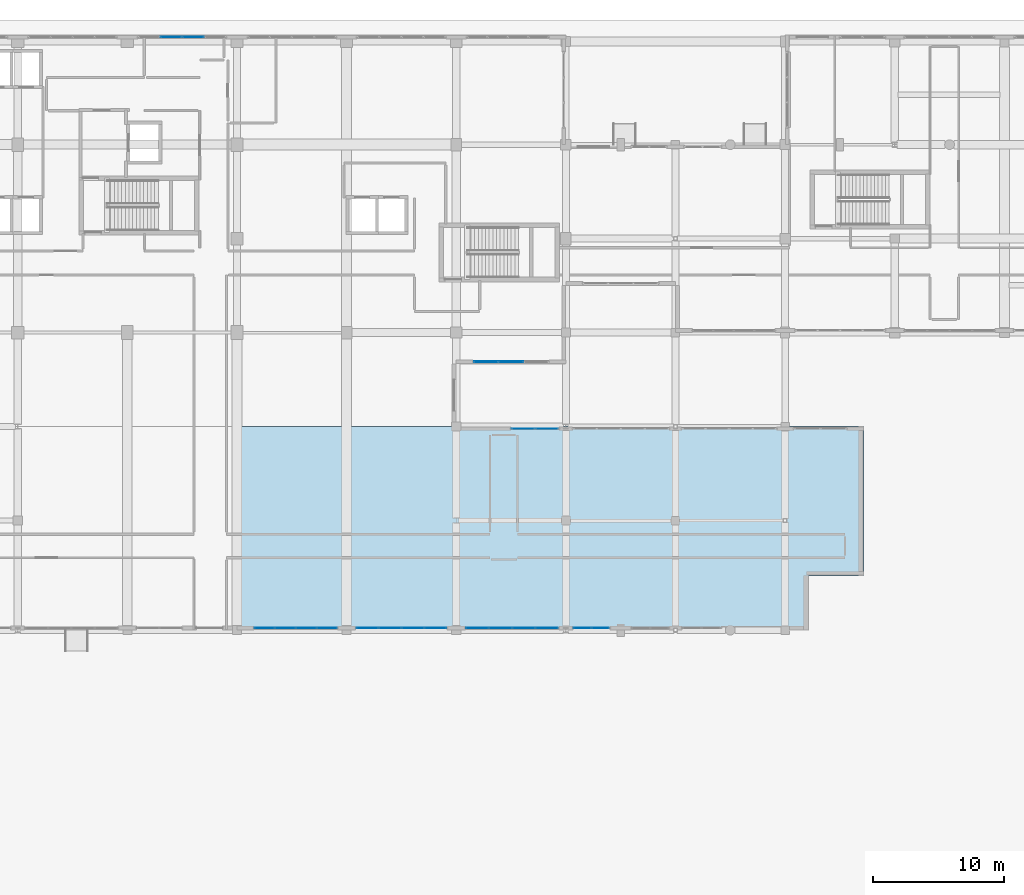
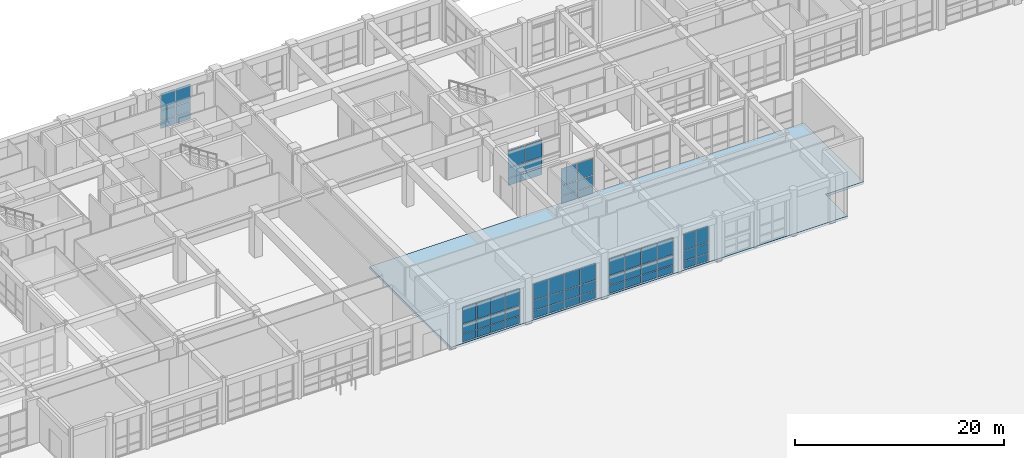
# One storey, part 116 of 148: 60 plates, 1 slab, 7 elements without a shape of their own.
"""IFC4 building model written with IfcOpenShell, lengths in metres."""

from ifc_helpers import new_model, si_unit, direction, frame, origin, origin_2d, place, context, subcontext, project, spatial, polyline, rectangle, outline, extrude, material, layer, layer_set, type_object, element, aggregate, save


model = new_model("IFC4")

# Units and contexts
model_context = context("Model", 3, precision=1e-05, world=origin(), true_north=direction((0.0, 1.0)))
body_context = subcontext(model_context, "Body", "Model", "MODEL_VIEW")
ifc_project = project(units=[si_unit("LENGTHUNIT", "METRE"), si_unit("AREAUNIT", "SQUARE_METRE"), si_unit("VOLUMEUNIT", "CUBIC_METRE"), si_unit("PLANEANGLEUNIT", "RADIAN"), si_unit("MASSUNIT", "GRAM", prefix="KILO")], contexts=[model_context])

# Site, building, storey
site_placement = place(None, origin())
site = spatial("IfcSite", under=ifc_project, at=site_placement, CompositionType="ELEMENT")
building_placement = place(site_placement, origin())
building = spatial("IfcBuilding", under=site, at=building_placement, Name="Quendrovan Civic Courthouse", CompositionType="ELEMENT")
storey_placement = place(building_placement, origin())
storey = spatial("IfcBuildingStorey", under=building, at=storey_placement, Name="L01", CompositionType="ELEMENT", Elevation=0.0)

# Curtain wall, plates
ifc_material_1 = material(Name="Bronze anodised aluminium and low-E glass", Category="aluminium")
ifc_layer_1 = layer(ifc_material_1, 0.179931640625, Name="Bronze anodised aluminium and low-E glass")
ifc_layer_set_1 = layer_set([ifc_layer_1], Name="Bronze anodised aluminium and low-E glass")
curtain_wall_type_1 = type_object("IfcCurtainWallType", Name="CW-U68x42", PredefinedType="USERDEFINED", material=ifc_layer_set_1)
curtain_wall_1_placement = place(storey_placement, origin())
curtain_wall_1 = element("IfcCurtainWall", 1, at=curtain_wall_1_placement, inside=storey, type_object=curtain_wall_type_1, Name="L01 Unitised Hurricane Curtain Wall CW-028", ObjectType="UNITISED CURTAIN WALL", PredefinedType="USERDEFINED")
ifc_material_2 = material(Name="Laminated hurricane-impact low-E glass", Category="glass")
ifc_layer_2 = layer(ifc_material_2, 0.028076171875, Name="Laminated hurricane-impact low-E glass")
ifc_layer_set_2 = layer_set([ifc_layer_2], Name="Laminated hurricane-impact low-E glass")
plate_type_1 = type_object("IfcPlateType", Name="CW-PNL-1", PredefinedType="CURTAIN_PANEL", material=ifc_layer_set_2)
plate_1_placement = place(storey_placement, frame((62.15625, 110.235107421875, 0.06982421875), z_axis=(0.0, 0.0, 1.0), x_axis=(1.0, 0.0, 0.0)))
plate_1 = element("IfcPlate", 2, at=plate_1_placement, type_object=plate_type_1, Name="CW-028 panel 2.1", PredefinedType="CURTAIN_PANEL", context=body_context, shape_type="SweptSolid", body=[
    extrude(rectangle(XDim=1.617431640625, YDim=0.028076171875, at=origin_2d()), origin(), (0.0, 0.0, 1.0), 0.844970703125),
])
plate_2_placement = place(storey_placement, frame((62.15625, 110.235107421875, 0.985107421875), z_axis=(0.0, 0.0, 1.0), x_axis=(1.0, 0.0, 0.0)))
plate_2 = element("IfcPlate", 3, at=plate_2_placement, type_object=plate_type_1, Name="CW-028 panel 2.2", PredefinedType="CURTAIN_PANEL", context=body_context, shape_type="SweptSolid", body=[
    extrude(rectangle(XDim=1.617431640625, YDim=0.028076171875, at=origin_2d()), origin(), (0.0, 0.0, 1.0), 1.1298828125),
])
plate_3_placement = place(storey_placement, frame((62.15625, 110.235107421875, 2.18505859375), z_axis=(0.0, 0.0, 1.0), x_axis=(1.0, 0.0, 0.0)))
plate_3 = element("IfcPlate", 4, at=plate_3_placement, type_object=plate_type_1, Name="CW-028 panel 2.3", PredefinedType="CURTAIN_PANEL", context=body_context, shape_type="SweptSolid", body=[
    extrude(rectangle(XDim=1.617431640625, YDim=0.028076171875, at=origin_2d()), origin(), (0.0, 0.0, 1.0), 1.945068359375),
])
plate_4_placement = place(storey_placement, frame((63.84375, 110.235107421875, 0.06982421875), z_axis=(0.0, 0.0, 1.0), x_axis=(1.0, 0.0, 0.0)))
plate_4 = element("IfcPlate", 5, at=plate_4_placement, type_object=plate_type_1, Name="CW-028 panel 3.1", PredefinedType="CURTAIN_PANEL", context=body_context, shape_type="SweptSolid", body=[
    extrude(rectangle(XDim=1.617431640625, YDim=0.028076171875, at=origin_2d()), origin(), (0.0, 0.0, 1.0), 0.844970703125),
])
plate_5_placement = place(storey_placement, frame((63.84375, 110.235107421875, 0.985107421875), z_axis=(0.0, 0.0, 1.0), x_axis=(1.0, 0.0, 0.0)))
plate_5 = element("IfcPlate", 6, at=plate_5_placement, type_object=plate_type_1, Name="CW-028 panel 3.2", PredefinedType="CURTAIN_PANEL", context=body_context, shape_type="SweptSolid", body=[
    extrude(rectangle(XDim=1.617431640625, YDim=0.028076171875, at=origin_2d()), origin(), (0.0, 0.0, 1.0), 1.1298828125),
])
plate_6_placement = place(storey_placement, frame((63.84375, 110.235107421875, 2.18505859375), z_axis=(0.0, 0.0, 1.0), x_axis=(1.0, 0.0, 0.0)))
plate_6 = element("IfcPlate", 7, at=plate_6_placement, type_object=plate_type_1, Name="CW-028 panel 3.3", PredefinedType="CURTAIN_PANEL", context=body_context, shape_type="SweptSolid", body=[
    extrude(rectangle(XDim=1.617431640625, YDim=0.028076171875, at=origin_2d()), origin(), (0.0, 0.0, 1.0), 1.945068359375),
])
aggregate(curtain_wall_1, [plate_1, plate_2, plate_3, plate_4, plate_5, plate_6])

ifc_layer_3 = layer(ifc_material_1, 0.179931640625, Name="Bronze anodised aluminium and low-E glass")
ifc_layer_set_3 = layer_set([ifc_layer_3], Name="Bronze anodised aluminium and low-E glass")
curtain_wall_type_2 = type_object("IfcCurtainWallType", Name="CW-U37x42", PredefinedType="USERDEFINED", material=ifc_layer_set_3)
curtain_wall_2_placement = place(storey_placement, origin())
curtain_wall_2 = element("IfcCurtainWall", 8, at=curtain_wall_2_placement, inside=storey, type_object=curtain_wall_type_2, Name="L01 Unitised Hurricane Curtain Wall CW-052", ObjectType="UNITISED CURTAIN WALL", PredefinedType="USERDEFINED")
plate_7_placement = place(storey_placement, frame((89.13330078125, 80.235107421875, 0.06982421875), z_axis=(0.0, 0.0, 1.0), x_axis=(1.0, 0.0, 0.0)))
plate_7 = element("IfcPlate", 9, at=plate_7_placement, type_object=plate_type_1, Name="CW-052 panel 1.1", PredefinedType="CURTAIN_PANEL", context=body_context, shape_type="SweptSolid", body=[
    extrude(rectangle(XDim=1.7265625, YDim=0.028076171875, at=origin_2d()), origin(), (0.0, 0.0, 1.0), 0.844970703125),
])
plate_8_placement = place(storey_placement, frame((89.13330078125, 80.235107421875, 0.985107421875), z_axis=(0.0, 0.0, 1.0), x_axis=(1.0, 0.0, 0.0)))
plate_8 = element("IfcPlate", 10, at=plate_8_placement, type_object=plate_type_1, Name="CW-052 panel 1.2", PredefinedType="CURTAIN_PANEL", context=body_context, shape_type="SweptSolid", body=[
    extrude(rectangle(XDim=1.7265625, YDim=0.028076171875, at=origin_2d()), origin(), (0.0, 0.0, 1.0), 1.1298828125),
])
plate_9_placement = place(storey_placement, frame((89.13330078125, 80.235107421875, 2.18505859375), z_axis=(0.0, 0.0, 1.0), x_axis=(1.0, 0.0, 0.0)))
plate_9 = element("IfcPlate", 11, at=plate_9_placement, type_object=plate_type_1, Name="CW-052 panel 1.3", PredefinedType="CURTAIN_PANEL", context=body_context, shape_type="SweptSolid", body=[
    extrude(rectangle(XDim=1.7265625, YDim=0.028076171875, at=origin_2d()), origin(), (0.0, 0.0, 1.0), 1.945068359375),
])
plate_10_placement = place(storey_placement, frame((90.9296875, 80.235107421875, 0.06982421875), z_axis=(0.0, 0.0, 1.0), x_axis=(1.0, 0.0, 0.0)))
plate_10 = element("IfcPlate", 12, at=plate_10_placement, type_object=plate_type_1, Name="CW-052 panel 2.1", PredefinedType="CURTAIN_PANEL", context=body_context, shape_type="SweptSolid", body=[
    extrude(rectangle(XDim=1.7265625, YDim=0.028076171875, at=origin_2d()), origin(), (0.0, 0.0, 1.0), 0.844970703125),
])
plate_11_placement = place(storey_placement, frame((90.9296875, 80.235107421875, 0.985107421875), z_axis=(0.0, 0.0, 1.0), x_axis=(1.0, 0.0, 0.0)))
plate_11 = element("IfcPlate", 13, at=plate_11_placement, type_object=plate_type_1, Name="CW-052 panel 2.2", PredefinedType="CURTAIN_PANEL", context=body_context, shape_type="SweptSolid", body=[
    extrude(rectangle(XDim=1.7265625, YDim=0.028076171875, at=origin_2d()), origin(), (0.0, 0.0, 1.0), 1.1298828125),
])
plate_12_placement = place(storey_placement, frame((90.9296875, 80.235107421875, 2.18505859375), z_axis=(0.0, 0.0, 1.0), x_axis=(1.0, 0.0, 0.0)))
plate_12 = element("IfcPlate", 14, at=plate_12_placement, type_object=plate_type_1, Name="CW-052 panel 2.3", PredefinedType="CURTAIN_PANEL", context=body_context, shape_type="SweptSolid", body=[
    extrude(rectangle(XDim=1.7265625, YDim=0.028076171875, at=origin_2d()), origin(), (0.0, 0.0, 1.0), 1.945068359375),
])
aggregate(curtain_wall_2, [plate_7, plate_8, plate_9, plate_10, plate_11, plate_12])

ifc_layer_4 = layer(ifc_material_1, 0.179931640625, Name="Bronze anodised aluminium and low-E glass")
ifc_layer_set_4 = layer_set([ifc_layer_4], Name="Bronze anodised aluminium and low-E glass")
curtain_wall_type_3 = type_object("IfcCurtainWallType", Name="CW-U70x42", PredefinedType="USERDEFINED", material=ifc_layer_set_4)
curtain_wall_3_placement = place(storey_placement, origin())
curtain_wall_3 = element("IfcCurtainWall", 15, at=curtain_wall_3_placement, inside=storey, type_object=curtain_wall_type_3, Name="L01 Unitised Hurricane Curtain Wall CW-060", ObjectType="UNITISED CURTAIN WALL", PredefinedType="USERDEFINED")
plate_13_placement = place(storey_placement, frame((82.407470703125, 64.965087890625, 0.06982421875), z_axis=(0.0, 0.0, 1.0), x_axis=(-1.0, 0.0, 0.0)))
plate_13 = element("IfcPlate", 16, at=plate_13_placement, type_object=plate_type_1, Name="CW-060 panel 1.1", PredefinedType="CURTAIN_PANEL", context=body_context, shape_type="SweptSolid", body=[
    extrude(rectangle(XDim=1.64501953125, YDim=0.028076171875, at=origin_2d()), origin(), (0.0, 0.0, 1.0), 0.844970703125),
])
plate_14_placement = place(storey_placement, frame((82.407470703125, 64.965087890625, 0.985107421875), z_axis=(0.0, 0.0, 1.0), x_axis=(-1.0, 0.0, 0.0)))
plate_14 = element("IfcPlate", 17, at=plate_14_placement, type_object=plate_type_1, Name="CW-060 panel 1.2", PredefinedType="CURTAIN_PANEL", context=body_context, shape_type="SweptSolid", body=[
    extrude(rectangle(XDim=1.64501953125, YDim=0.028076171875, at=origin_2d()), origin(), (0.0, 0.0, 1.0), 1.1298828125),
])
plate_15_placement = place(storey_placement, frame((82.407470703125, 64.965087890625, 2.18505859375), z_axis=(0.0, 0.0, 1.0), x_axis=(-1.0, 0.0, 0.0)))
plate_15 = element("IfcPlate", 18, at=plate_15_placement, type_object=plate_type_1, Name="CW-060 panel 1.3", PredefinedType="CURTAIN_PANEL", context=body_context, shape_type="SweptSolid", body=[
    extrude(rectangle(XDim=1.64501953125, YDim=0.028076171875, at=origin_2d()), origin(), (0.0, 0.0, 1.0), 1.945068359375),
])
plate_16_placement = place(storey_placement, frame((80.675048828125, 64.965087890625, 0.06982421875), z_axis=(0.0, 0.0, 1.0), x_axis=(-1.0, 0.0, 0.0)))
plate_16 = element("IfcPlate", 19, at=plate_16_placement, type_object=plate_type_1, Name="CW-060 panel 2.1", PredefinedType="CURTAIN_PANEL", context=body_context, shape_type="SweptSolid", body=[
    extrude(rectangle(XDim=1.679931640625, YDim=0.028076171875, at=origin_2d()), origin(), (0.0, 0.0, 1.0), 0.844970703125),
])
plate_17_placement = place(storey_placement, frame((80.675048828125, 64.965087890625, 0.985107421875), z_axis=(0.0, 0.0, 1.0), x_axis=(-1.0, 0.0, 0.0)))
plate_17 = element("IfcPlate", 20, at=plate_17_placement, type_object=plate_type_1, Name="CW-060 panel 2.2", PredefinedType="CURTAIN_PANEL", context=body_context, shape_type="SweptSolid", body=[
    extrude(rectangle(XDim=1.679931640625, YDim=0.028076171875, at=origin_2d()), origin(), (0.0, 0.0, 1.0), 1.1298828125),
])
plate_18_placement = place(storey_placement, frame((80.675048828125, 64.965087890625, 2.18505859375), z_axis=(0.0, 0.0, 1.0), x_axis=(-1.0, 0.0, 0.0)))
plate_18 = element("IfcPlate", 21, at=plate_18_placement, type_object=plate_type_1, Name="CW-060 panel 2.3", PredefinedType="CURTAIN_PANEL", context=body_context, shape_type="SweptSolid", body=[
    extrude(rectangle(XDim=1.679931640625, YDim=0.028076171875, at=origin_2d()), origin(), (0.0, 0.0, 1.0), 1.945068359375),
])
plate_19_placement = place(storey_placement, frame((78.925048828125, 64.965087890625, 0.06982421875), z_axis=(0.0, 0.0, 1.0), x_axis=(-1.0, 0.0, 0.0)))
plate_19 = element("IfcPlate", 22, at=plate_19_placement, type_object=plate_type_1, Name="CW-060 panel 3.1", PredefinedType="CURTAIN_PANEL", context=body_context, shape_type="SweptSolid", body=[
    extrude(rectangle(XDim=1.679931640625, YDim=0.028076171875, at=origin_2d()), origin(), (0.0, 0.0, 1.0), 0.844970703125),
])
plate_20_placement = place(storey_placement, frame((78.925048828125, 64.965087890625, 0.985107421875), z_axis=(0.0, 0.0, 1.0), x_axis=(-1.0, 0.0, 0.0)))
plate_20 = element("IfcPlate", 23, at=plate_20_placement, type_object=plate_type_1, Name="CW-060 panel 3.2", PredefinedType="CURTAIN_PANEL", context=body_context, shape_type="SweptSolid", body=[
    extrude(rectangle(XDim=1.679931640625, YDim=0.028076171875, at=origin_2d()), origin(), (0.0, 0.0, 1.0), 1.1298828125),
])
plate_21_placement = place(storey_placement, frame((78.925048828125, 64.965087890625, 2.18505859375), z_axis=(0.0, 0.0, 1.0), x_axis=(-1.0, 0.0, 0.0)))
plate_21 = element("IfcPlate", 24, at=plate_21_placement, type_object=plate_type_1, Name="CW-060 panel 3.3", PredefinedType="CURTAIN_PANEL", context=body_context, shape_type="SweptSolid", body=[
    extrude(rectangle(XDim=1.679931640625, YDim=0.028076171875, at=origin_2d()), origin(), (0.0, 0.0, 1.0), 1.945068359375),
])
plate_22_placement = place(storey_placement, frame((77.1923828125, 64.965087890625, 0.06982421875), z_axis=(0.0, 0.0, 1.0), x_axis=(-1.0, 0.0, 0.0)))
plate_22 = element("IfcPlate", 25, at=plate_22_placement, type_object=plate_type_1, Name="CW-060 panel 4.1", PredefinedType="CURTAIN_PANEL", context=body_context, shape_type="SweptSolid", body=[
    extrude(rectangle(XDim=1.64501953125, YDim=0.028076171875, at=origin_2d()), origin(), (0.0, 0.0, 1.0), 0.844970703125),
])
plate_23_placement = place(storey_placement, frame((77.1923828125, 64.965087890625, 0.985107421875), z_axis=(0.0, 0.0, 1.0), x_axis=(-1.0, 0.0, 0.0)))
plate_23 = element("IfcPlate", 26, at=plate_23_placement, type_object=plate_type_1, Name="CW-060 panel 4.2", PredefinedType="CURTAIN_PANEL", context=body_context, shape_type="SweptSolid", body=[
    extrude(rectangle(XDim=1.64501953125, YDim=0.028076171875, at=origin_2d()), origin(), (0.0, 0.0, 1.0), 1.1298828125),
])
plate_24_placement = place(storey_placement, frame((77.1923828125, 64.965087890625, 2.18505859375), z_axis=(0.0, 0.0, 1.0), x_axis=(-1.0, 0.0, 0.0)))
plate_24 = element("IfcPlate", 27, at=plate_24_placement, type_object=plate_type_1, Name="CW-060 panel 4.3", PredefinedType="CURTAIN_PANEL", context=body_context, shape_type="SweptSolid", body=[
    extrude(rectangle(XDim=1.64501953125, YDim=0.028076171875, at=origin_2d()), origin(), (0.0, 0.0, 1.0), 1.945068359375),
])
aggregate(curtain_wall_3, [plate_13, plate_14, plate_15, plate_16, plate_17, plate_18, plate_19, plate_20, plate_21, plate_22, plate_23, plate_24])

ifc_layer_5 = layer(ifc_material_1, 0.179931640625, Name="Bronze anodised aluminium and low-E glass")
ifc_layer_set_5 = layer_set([ifc_layer_5], Name="Bronze anodised aluminium and low-E glass")
curtain_wall_type_4 = type_object("IfcCurtainWallType", Name="CW-U64x42", PredefinedType="USERDEFINED", material=ifc_layer_set_5)
curtain_wall_4_placement = place(storey_placement, origin())
curtain_wall_4 = element("IfcCurtainWall", 28, at=curtain_wall_4_placement, inside=storey, type_object=curtain_wall_type_4, Name="L01 Unitised Hurricane Curtain Wall CW-061", ObjectType="UNITISED CURTAIN WALL", PredefinedType="USERDEFINED")
ifc_layer_6 = layer(ifc_material_2, 0.031982421875, Name="Laminated hurricane-impact low-E glass")
ifc_layer_set_6 = layer_set([ifc_layer_6], Name="Laminated hurricane-impact low-E glass")
plate_type_2 = type_object("IfcPlateType", Name="CW-PNL-2", PredefinedType="CURTAIN_PANEL", material=ifc_layer_set_6)
plate_25_placement = place(storey_placement, frame((74.083740234375, 64.965087890625, 0.06494140625), z_axis=(0.0, 0.0, 1.0), x_axis=(-1.0, 0.0, 0.0)))
plate_25 = element("IfcPlate", 29, at=plate_25_placement, type_object=plate_type_2, Name="CW-061 panel 1.1", PredefinedType="CURTAIN_PANEL", context=body_context, shape_type="SweptSolid", body=[
    extrude(rectangle(XDim=1.50244140625, YDim=0.031982421875, at=origin_2d()), origin(), (0.0, 0.0, 1.0), 0.8525390625),
])
plate_26_placement = place(storey_placement, frame((74.083740234375, 64.965087890625, 0.982421875), z_axis=(0.0, 0.0, 1.0), x_axis=(-1.0, 0.0, 0.0)))
plate_26 = element("IfcPlate", 30, at=plate_26_placement, type_object=plate_type_2, Name="CW-061 panel 1.2", PredefinedType="CURTAIN_PANEL", context=body_context, shape_type="SweptSolid", body=[
    extrude(rectangle(XDim=1.50244140625, YDim=0.031982421875, at=origin_2d()), origin(), (0.0, 0.0, 1.0), 1.135009765625),
])
plate_27_placement = place(storey_placement, frame((74.083740234375, 64.965087890625, 2.1826171875), z_axis=(0.0, 0.0, 1.0), x_axis=(-1.0, 0.0, 0.0)))
plate_27 = element("IfcPlate", 31, at=plate_27_placement, type_object=plate_type_2, Name="CW-061 panel 1.3", PredefinedType="CURTAIN_PANEL", context=body_context, shape_type="SweptSolid", body=[
    extrude(rectangle(XDim=1.50244140625, YDim=0.031982421875, at=origin_2d()), origin(), (0.0, 0.0, 1.0), 1.952392578125),
])
plate_28_placement = place(storey_placement, frame((72.5, 64.965087890625, 0.06494140625), z_axis=(0.0, 0.0, 1.0), x_axis=(-1.0, 0.0, 0.0)))
plate_28 = element("IfcPlate", 32, at=plate_28_placement, type_object=plate_type_2, Name="CW-061 panel 2.1", PredefinedType="CURTAIN_PANEL", context=body_context, shape_type="SweptSolid", body=[
    extrude(rectangle(XDim=1.534912109375, YDim=0.031982421875, at=origin_2d()), origin(), (0.0, 0.0, 1.0), 0.8525390625),
])
plate_29_placement = place(storey_placement, frame((72.5, 64.965087890625, 0.982421875), z_axis=(0.0, 0.0, 1.0), x_axis=(-1.0, 0.0, 0.0)))
plate_29 = element("IfcPlate", 33, at=plate_29_placement, type_object=plate_type_2, Name="CW-061 panel 2.2", PredefinedType="CURTAIN_PANEL", context=body_context, shape_type="SweptSolid", body=[
    extrude(rectangle(XDim=1.534912109375, YDim=0.031982421875, at=origin_2d()), origin(), (0.0, 0.0, 1.0), 1.135009765625),
])
plate_30_placement = place(storey_placement, frame((72.5, 64.965087890625, 2.1826171875), z_axis=(0.0, 0.0, 1.0), x_axis=(-1.0, 0.0, 0.0)))
plate_30 = element("IfcPlate", 34, at=plate_30_placement, type_object=plate_type_2, Name="CW-061 panel 2.3", PredefinedType="CURTAIN_PANEL", context=body_context, shape_type="SweptSolid", body=[
    extrude(rectangle(XDim=1.534912109375, YDim=0.031982421875, at=origin_2d()), origin(), (0.0, 0.0, 1.0), 1.952392578125),
])
plate_31_placement = place(storey_placement, frame((70.89990234375, 64.965087890625, 0.06494140625), z_axis=(0.0, 0.0, 1.0), x_axis=(-1.0, 0.0, 0.0)))
plate_31 = element("IfcPlate", 35, at=plate_31_placement, type_object=plate_type_2, Name="CW-061 panel 3.1", PredefinedType="CURTAIN_PANEL", context=body_context, shape_type="SweptSolid", body=[
    extrude(rectangle(XDim=1.534912109375, YDim=0.031982421875, at=origin_2d()), origin(), (0.0, 0.0, 1.0), 0.8525390625),
])
plate_32_placement = place(storey_placement, frame((70.89990234375, 64.965087890625, 0.982421875), z_axis=(0.0, 0.0, 1.0), x_axis=(-1.0, 0.0, 0.0)))
plate_32 = element("IfcPlate", 36, at=plate_32_placement, type_object=plate_type_2, Name="CW-061 panel 3.2", PredefinedType="CURTAIN_PANEL", context=body_context, shape_type="SweptSolid", body=[
    extrude(rectangle(XDim=1.534912109375, YDim=0.031982421875, at=origin_2d()), origin(), (0.0, 0.0, 1.0), 1.135009765625),
])
plate_33_placement = place(storey_placement, frame((70.89990234375, 64.965087890625, 2.1826171875), z_axis=(0.0, 0.0, 1.0), x_axis=(-1.0, 0.0, 0.0)))
plate_33 = element("IfcPlate", 37, at=plate_33_placement, type_object=plate_type_2, Name="CW-061 panel 3.3", PredefinedType="CURTAIN_PANEL", context=body_context, shape_type="SweptSolid", body=[
    extrude(rectangle(XDim=1.534912109375, YDim=0.031982421875, at=origin_2d()), origin(), (0.0, 0.0, 1.0), 1.952392578125),
])
plate_34_placement = place(storey_placement, frame((69.316162109375, 64.965087890625, 0.06494140625), z_axis=(0.0, 0.0, 1.0), x_axis=(-1.0, 0.0, 0.0)))
plate_34 = element("IfcPlate", 38, at=plate_34_placement, type_object=plate_type_2, Name="CW-061 panel 4.1", PredefinedType="CURTAIN_PANEL", context=body_context, shape_type="SweptSolid", body=[
    extrude(rectangle(XDim=1.50244140625, YDim=0.031982421875, at=origin_2d()), origin(), (0.0, 0.0, 1.0), 0.8525390625),
])
plate_35_placement = place(storey_placement, frame((69.316162109375, 64.965087890625, 0.982421875), z_axis=(0.0, 0.0, 1.0), x_axis=(-1.0, 0.0, 0.0)))
plate_35 = element("IfcPlate", 39, at=plate_35_placement, type_object=plate_type_2, Name="CW-061 panel 4.2", PredefinedType="CURTAIN_PANEL", context=body_context, shape_type="SweptSolid", body=[
    extrude(rectangle(XDim=1.50244140625, YDim=0.031982421875, at=origin_2d()), origin(), (0.0, 0.0, 1.0), 1.135009765625),
])
plate_36_placement = place(storey_placement, frame((69.316162109375, 64.965087890625, 2.1826171875), z_axis=(0.0, 0.0, 1.0), x_axis=(-1.0, 0.0, 0.0)))
plate_36 = element("IfcPlate", 40, at=plate_36_placement, type_object=plate_type_2, Name="CW-061 panel 4.3", PredefinedType="CURTAIN_PANEL", context=body_context, shape_type="SweptSolid", body=[
    extrude(rectangle(XDim=1.50244140625, YDim=0.031982421875, at=origin_2d()), origin(), (0.0, 0.0, 1.0), 1.952392578125),
])
aggregate(curtain_wall_4, [plate_25, plate_26, plate_27, plate_28, plate_29, plate_30, plate_31, plate_32, plate_33, plate_34, plate_35, plate_36])

ifc_layer_7 = layer(ifc_material_1, 0.179931640625, Name="Bronze anodised aluminium and low-E glass")
ifc_layer_set_7 = layer_set([ifc_layer_7], Name="Bronze anodised aluminium and low-E glass")
curtain_wall_type_5 = type_object("IfcCurtainWallType", Name="CW-U28x42", PredefinedType="USERDEFINED", material=ifc_layer_set_7)
curtain_wall_5_placement = place(storey_placement, origin())
curtain_wall_5 = element("IfcCurtainWall", 41, at=curtain_wall_5_placement, inside=storey, type_object=curtain_wall_type_5, Name="L01 Unitised Hurricane Curtain Wall CW-058", ObjectType="UNITISED CURTAIN WALL", PredefinedType="USERDEFINED")
ifc_layer_8 = layer(ifc_material_2, 0.035888671875, Name="Laminated hurricane-impact low-E glass")
ifc_layer_set_8 = layer_set([ifc_layer_8], Name="Laminated hurricane-impact low-E glass")
plate_type_3 = type_object("IfcPlateType", Name="CW-PNL-3", PredefinedType="CURTAIN_PANEL", material=ifc_layer_set_8)
plate_37_placement = place(storey_placement, frame((95.048095703125, 64.965087890625, 0.06982421875), z_axis=(0.0, 0.0, 1.0), x_axis=(-1.0, 0.0, 0.0)))
plate_37 = element("IfcPlate", 42, at=plate_37_placement, type_object=plate_type_3, Name="CW-058 panel 1.1", PredefinedType="CURTAIN_PANEL", context=body_context, shape_type="SweptSolid", body=[
    extrude(rectangle(XDim=1.31396484375, YDim=0.035888671875, at=origin_2d()), origin(), (0.0, 0.0, 1.0), 0.844970703125),
])
plate_38_placement = place(storey_placement, frame((95.048095703125, 64.965087890625, 0.985107421875), z_axis=(0.0, 0.0, 1.0), x_axis=(-1.0, 0.0, 0.0)))
plate_38 = element("IfcPlate", 43, at=plate_38_placement, type_object=plate_type_3, Name="CW-058 panel 1.2", PredefinedType="CURTAIN_PANEL", context=body_context, shape_type="SweptSolid", body=[
    extrude(rectangle(XDim=1.31396484375, YDim=0.035888671875, at=origin_2d()), origin(), (0.0, 0.0, 1.0), 1.1298828125),
])
plate_39_placement = place(storey_placement, frame((95.048095703125, 64.965087890625, 2.18505859375), z_axis=(0.0, 0.0, 1.0), x_axis=(-1.0, 0.0, 0.0)))
plate_39 = element("IfcPlate", 44, at=plate_39_placement, type_object=plate_type_3, Name="CW-058 panel 1.3", PredefinedType="CURTAIN_PANEL", context=body_context, shape_type="SweptSolid", body=[
    extrude(rectangle(XDim=1.31396484375, YDim=0.035888671875, at=origin_2d()), origin(), (0.0, 0.0, 1.0), 1.945068359375),
])
plate_40_placement = place(storey_placement, frame((93.6640625, 64.965087890625, 0.06982421875), z_axis=(0.0, 0.0, 1.0), x_axis=(-1.0, 0.0, 0.0)))
plate_40 = element("IfcPlate", 45, at=plate_40_placement, type_object=plate_type_3, Name="CW-058 panel 2.1", PredefinedType="CURTAIN_PANEL", context=body_context, shape_type="SweptSolid", body=[
    extrude(rectangle(XDim=1.31396484375, YDim=0.035888671875, at=origin_2d()), origin(), (0.0, 0.0, 1.0), 0.844970703125),
])
plate_41_placement = place(storey_placement, frame((93.6640625, 64.965087890625, 0.985107421875), z_axis=(0.0, 0.0, 1.0), x_axis=(-1.0, 0.0, 0.0)))
plate_41 = element("IfcPlate", 46, at=plate_41_placement, type_object=plate_type_3, Name="CW-058 panel 2.2", PredefinedType="CURTAIN_PANEL", context=body_context, shape_type="SweptSolid", body=[
    extrude(rectangle(XDim=1.31396484375, YDim=0.035888671875, at=origin_2d()), origin(), (0.0, 0.0, 1.0), 1.1298828125),
])
plate_42_placement = place(storey_placement, frame((93.6640625, 64.965087890625, 2.18505859375), z_axis=(0.0, 0.0, 1.0), x_axis=(-1.0, 0.0, 0.0)))
plate_42 = element("IfcPlate", 47, at=plate_42_placement, type_object=plate_type_3, Name="CW-058 panel 2.3", PredefinedType="CURTAIN_PANEL", context=body_context, shape_type="SweptSolid", body=[
    extrude(rectangle(XDim=1.31396484375, YDim=0.035888671875, at=origin_2d()), origin(), (0.0, 0.0, 1.0), 1.945068359375),
])
aggregate(curtain_wall_5, [plate_37, plate_38, plate_39, plate_40, plate_41, plate_42])

ifc_layer_9 = layer(ifc_material_1, 0.179931640625, Name="Bronze anodised aluminium and low-E glass")
ifc_layer_set_9 = layer_set([ifc_layer_9], Name="Bronze anodised aluminium and low-E glass")
curtain_wall_type_6 = type_object("IfcCurtainWallType", Name="CW-U58x42", PredefinedType="USERDEFINED", material=ifc_layer_set_9)
curtain_wall_6_placement = place(storey_placement, origin())
curtain_wall_6 = element("IfcCurtainWall", 48, at=curtain_wall_6_placement, inside=storey, type_object=curtain_wall_type_6, Name="L01 Unitised Hurricane Curtain Wall CW-051", ObjectType="UNITISED CURTAIN WALL", PredefinedType="USERDEFINED")
ifc_layer_10 = layer(ifc_material_2, 0.0419921875, Name="Laminated hurricane-impact low-E glass")
ifc_layer_set_10 = layer_set([ifc_layer_10], Name="Laminated hurricane-impact low-E glass")
plate_type_4 = type_object("IfcPlateType", Name="CW-PNL-4", PredefinedType="CURTAIN_PANEL", material=ifc_layer_set_10)
plate_43_placement = place(storey_placement, frame((88.199951171875, 85.364990234375, 0.06494140625), z_axis=(0.0, 0.0, 1.0), x_axis=(-1.0, 0.0, 0.0)))
plate_43 = element("IfcPlate", 49, at=plate_43_placement, type_object=plate_type_4, Name="CW-051 panel 2.1", PredefinedType="CURTAIN_PANEL", context=body_context, shape_type="SweptSolid", body=[
    extrude(rectangle(XDim=1.868408203125, YDim=0.0419921875, at=origin_2d()), origin(), (0.0, 0.0, 1.0), 0.8525390625),
])
plate_44_placement = place(storey_placement, frame((88.199951171875, 85.364990234375, 0.982421875), z_axis=(0.0, 0.0, 1.0), x_axis=(-1.0, 0.0, 0.0)))
plate_44 = element("IfcPlate", 50, at=plate_44_placement, type_object=plate_type_4, Name="CW-051 panel 2.2", PredefinedType="CURTAIN_PANEL", context=body_context, shape_type="SweptSolid", body=[
    extrude(rectangle(XDim=1.868408203125, YDim=0.0419921875, at=origin_2d()), origin(), (0.0, 0.0, 1.0), 1.135009765625),
])
plate_45_placement = place(storey_placement, frame((88.199951171875, 85.364990234375, 2.1826171875), z_axis=(0.0, 0.0, 1.0), x_axis=(-1.0, 0.0, 0.0)))
plate_45 = element("IfcPlate", 51, at=plate_45_placement, type_object=plate_type_4, Name="CW-051 panel 2.3", PredefinedType="CURTAIN_PANEL", context=body_context, shape_type="SweptSolid", body=[
    extrude(rectangle(XDim=1.868408203125, YDim=0.0419921875, at=origin_2d()), origin(), (0.0, 0.0, 1.0), 1.952392578125),
])
plate_46_placement = place(storey_placement, frame((86.282958984375, 85.364990234375, 0.06494140625), z_axis=(0.0, 0.0, 1.0), x_axis=(-1.0, 0.0, 0.0)))
plate_46 = element("IfcPlate", 52, at=plate_46_placement, type_object=plate_type_4, Name="CW-051 panel 3.1", PredefinedType="CURTAIN_PANEL", context=body_context, shape_type="SweptSolid", body=[
    extrude(rectangle(XDim=1.8359375, YDim=0.0419921875, at=origin_2d()), origin(), (0.0, 0.0, 1.0), 0.8525390625),
])
plate_47_placement = place(storey_placement, frame((86.282958984375, 85.364990234375, 0.982421875), z_axis=(0.0, 0.0, 1.0), x_axis=(-1.0, 0.0, 0.0)))
plate_47 = element("IfcPlate", 53, at=plate_47_placement, type_object=plate_type_4, Name="CW-051 panel 3.2", PredefinedType="CURTAIN_PANEL", context=body_context, shape_type="SweptSolid", body=[
    extrude(rectangle(XDim=1.8359375, YDim=0.0419921875, at=origin_2d()), origin(), (0.0, 0.0, 1.0), 1.135009765625),
])
plate_48_placement = place(storey_placement, frame((86.282958984375, 85.364990234375, 2.1826171875), z_axis=(0.0, 0.0, 1.0), x_axis=(-1.0, 0.0, 0.0)))
plate_48 = element("IfcPlate", 54, at=plate_48_placement, type_object=plate_type_4, Name="CW-051 panel 3.3", PredefinedType="CURTAIN_PANEL", context=body_context, shape_type="SweptSolid", body=[
    extrude(rectangle(XDim=1.8359375, YDim=0.0419921875, at=origin_2d()), origin(), (0.0, 0.0, 1.0), 1.952392578125),
])
aggregate(curtain_wall_6, [plate_43, plate_44, plate_45, plate_46, plate_47, plate_48])

ifc_layer_11 = layer(ifc_material_1, 0.179931640625, Name="Bronze anodised aluminium and low-E glass")
ifc_layer_set_11 = layer_set([ifc_layer_11], Name="Bronze anodised aluminium and low-E glass")
curtain_wall_type_7 = type_object("IfcCurtainWallType", Name="CW-U72x42", PredefinedType="USERDEFINED", material=ifc_layer_set_11)
curtain_wall_7_placement = place(storey_placement, origin())
curtain_wall_7 = element("IfcCurtainWall", 55, at=curtain_wall_7_placement, inside=storey, type_object=curtain_wall_type_7, Name="L01 Unitised Hurricane Curtain Wall CW-059", ObjectType="UNITISED CURTAIN WALL", PredefinedType="USERDEFINED")
plate_49_placement = place(storey_placement, frame((90.951416015625, 64.965087890625, 0.06494140625), z_axis=(0.0, 0.0, 1.0), x_axis=(-1.0, 0.0, 0.0)))
plate_49 = element("IfcPlate", 56, at=plate_49_placement, type_object=plate_type_4, Name="CW-059 panel 1.1", PredefinedType="CURTAIN_PANEL", context=body_context, shape_type="SweptSolid", body=[
    extrude(rectangle(XDim=1.693359375, YDim=0.0419921875, at=origin_2d()), origin(), (0.0, 0.0, 1.0), 0.8525390625),
])
plate_50_placement = place(storey_placement, frame((90.951416015625, 64.965087890625, 0.982421875), z_axis=(0.0, 0.0, 1.0), x_axis=(-1.0, 0.0, 0.0)))
plate_50 = element("IfcPlate", 57, at=plate_50_placement, type_object=plate_type_4, Name="CW-059 panel 1.2", PredefinedType="CURTAIN_PANEL", context=body_context, shape_type="SweptSolid", body=[
    extrude(rectangle(XDim=1.693359375, YDim=0.0419921875, at=origin_2d()), origin(), (0.0, 0.0, 1.0), 1.135009765625),
])
plate_51_placement = place(storey_placement, frame((90.951416015625, 64.965087890625, 2.1826171875), z_axis=(0.0, 0.0, 1.0), x_axis=(-1.0, 0.0, 0.0)))
plate_51 = element("IfcPlate", 58, at=plate_51_placement, type_object=plate_type_4, Name="CW-059 panel 1.3", PredefinedType="CURTAIN_PANEL", context=body_context, shape_type="SweptSolid", body=[
    extrude(rectangle(XDim=1.693359375, YDim=0.0419921875, at=origin_2d()), origin(), (0.0, 0.0, 1.0), 1.952392578125),
])
plate_52_placement = place(storey_placement, frame((89.1767578125, 64.965087890625, 0.06494140625), z_axis=(0.0, 0.0, 1.0), x_axis=(-1.0, 0.0, 0.0)))
plate_52 = element("IfcPlate", 59, at=plate_52_placement, type_object=plate_type_4, Name="CW-059 panel 2.1", PredefinedType="CURTAIN_PANEL", context=body_context, shape_type="SweptSolid", body=[
    extrude(rectangle(XDim=1.725830078125, YDim=0.0419921875, at=origin_2d()), origin(), (0.0, 0.0, 1.0), 0.8525390625),
])
plate_53_placement = place(storey_placement, frame((89.1767578125, 64.965087890625, 0.982421875), z_axis=(0.0, 0.0, 1.0), x_axis=(-1.0, 0.0, 0.0)))
plate_53 = element("IfcPlate", 60, at=plate_53_placement, type_object=plate_type_4, Name="CW-059 panel 2.2", PredefinedType="CURTAIN_PANEL", context=body_context, shape_type="SweptSolid", body=[
    extrude(rectangle(XDim=1.725830078125, YDim=0.0419921875, at=origin_2d()), origin(), (0.0, 0.0, 1.0), 1.135009765625),
])
plate_54_placement = place(storey_placement, frame((89.1767578125, 64.965087890625, 2.1826171875), z_axis=(0.0, 0.0, 1.0), x_axis=(-1.0, 0.0, 0.0)))
plate_54 = element("IfcPlate", 61, at=plate_54_placement, type_object=plate_type_4, Name="CW-059 panel 2.3", PredefinedType="CURTAIN_PANEL", context=body_context, shape_type="SweptSolid", body=[
    extrude(rectangle(XDim=1.725830078125, YDim=0.0419921875, at=origin_2d()), origin(), (0.0, 0.0, 1.0), 1.952392578125),
])
plate_55_placement = place(storey_placement, frame((87.38623046875, 64.965087890625, 0.06494140625), z_axis=(0.0, 0.0, 1.0), x_axis=(-1.0, 0.0, 0.0)))
plate_55 = element("IfcPlate", 62, at=plate_55_placement, type_object=plate_type_4, Name="CW-059 panel 3.1", PredefinedType="CURTAIN_PANEL", context=body_context, shape_type="SweptSolid", body=[
    extrude(rectangle(XDim=1.725830078125, YDim=0.0419921875, at=origin_2d()), origin(), (0.0, 0.0, 1.0), 0.8525390625),
])
plate_56_placement = place(storey_placement, frame((87.38623046875, 64.965087890625, 0.982421875), z_axis=(0.0, 0.0, 1.0), x_axis=(-1.0, 0.0, 0.0)))
plate_56 = element("IfcPlate", 63, at=plate_56_placement, type_object=plate_type_4, Name="CW-059 panel 3.2", PredefinedType="CURTAIN_PANEL", context=body_context, shape_type="SweptSolid", body=[
    extrude(rectangle(XDim=1.725830078125, YDim=0.0419921875, at=origin_2d()), origin(), (0.0, 0.0, 1.0), 1.135009765625),
])
plate_57_placement = place(storey_placement, frame((87.38623046875, 64.965087890625, 2.1826171875), z_axis=(0.0, 0.0, 1.0), x_axis=(-1.0, 0.0, 0.0)))
plate_57 = element("IfcPlate", 64, at=plate_57_placement, type_object=plate_type_4, Name="CW-059 panel 3.3", PredefinedType="CURTAIN_PANEL", context=body_context, shape_type="SweptSolid", body=[
    extrude(rectangle(XDim=1.725830078125, YDim=0.0419921875, at=origin_2d()), origin(), (0.0, 0.0, 1.0), 1.952392578125),
])
plate_58_placement = place(storey_placement, frame((85.611572265625, 64.965087890625, 0.06494140625), z_axis=(0.0, 0.0, 1.0), x_axis=(-1.0, 0.0, 0.0)))
plate_58 = element("IfcPlate", 65, at=plate_58_placement, type_object=plate_type_4, Name="CW-059 panel 4.1", PredefinedType="CURTAIN_PANEL", context=body_context, shape_type="SweptSolid", body=[
    extrude(rectangle(XDim=1.693359375, YDim=0.0419921875, at=origin_2d()), origin(), (0.0, 0.0, 1.0), 0.8525390625),
])
plate_59_placement = place(storey_placement, frame((85.611572265625, 64.965087890625, 0.982421875), z_axis=(0.0, 0.0, 1.0), x_axis=(-1.0, 0.0, 0.0)))
plate_59 = element("IfcPlate", 66, at=plate_59_placement, type_object=plate_type_4, Name="CW-059 panel 4.2", PredefinedType="CURTAIN_PANEL", context=body_context, shape_type="SweptSolid", body=[
    extrude(rectangle(XDim=1.693359375, YDim=0.0419921875, at=origin_2d()), origin(), (0.0, 0.0, 1.0), 1.135009765625),
])
plate_60_placement = place(storey_placement, frame((85.611572265625, 64.965087890625, 2.1826171875), z_axis=(0.0, 0.0, 1.0), x_axis=(-1.0, 0.0, 0.0)))
plate_60 = element("IfcPlate", 67, at=plate_60_placement, type_object=plate_type_4, Name="CW-059 panel 4.3", PredefinedType="CURTAIN_PANEL", context=body_context, shape_type="SweptSolid", body=[
    extrude(rectangle(XDim=1.693359375, YDim=0.0419921875, at=origin_2d()), origin(), (0.0, 0.0, 1.0), 1.952392578125),
])
aggregate(curtain_wall_7, [plate_49, plate_50, plate_51, plate_52, plate_53, plate_54, plate_55, plate_56, plate_57, plate_58, plate_59, plate_60])

# Slab
ifc_material_3 = material(Name="Post-tensioned concrete C50/60", Category="concrete")
ifc_layer_12 = layer(ifc_material_3, 0.280029296875, Name="Post-tensioned concrete C50/60")
ifc_layer_set_12 = layer_set([ifc_layer_12], Name="Post-tensioned concrete C50/60")
slab_type = type_object("IfcSlabType", Name="SLB-PT-280", PredefinedType="FLOOR", material=ifc_layer_set_12)
slab_placement = place(storey_placement, frame((0.0, 0.0, -0.280029296875)))
element("IfcSlab", 68, at=slab_placement, inside=storey, type_object=slab_type, Name="L01 Structural Floor Slab V3E", PredefinedType="FLOOR", context=body_context, shape_type="SweptSolid", body=[
    extrude(outline(polyline([(67.199951171875, 64.800048828125), (67.199951171875, 80.39990234375), (115.199951171875, 80.39990234375), (115.199951171875, 69.0), (111.0, 69.0), (111.0, 64.800048828125), (67.199951171875, 64.800048828125)])), origin(), (0.0, 0.0, 1.0), 0.280029296875),
])

save(model, "model.ifc")
